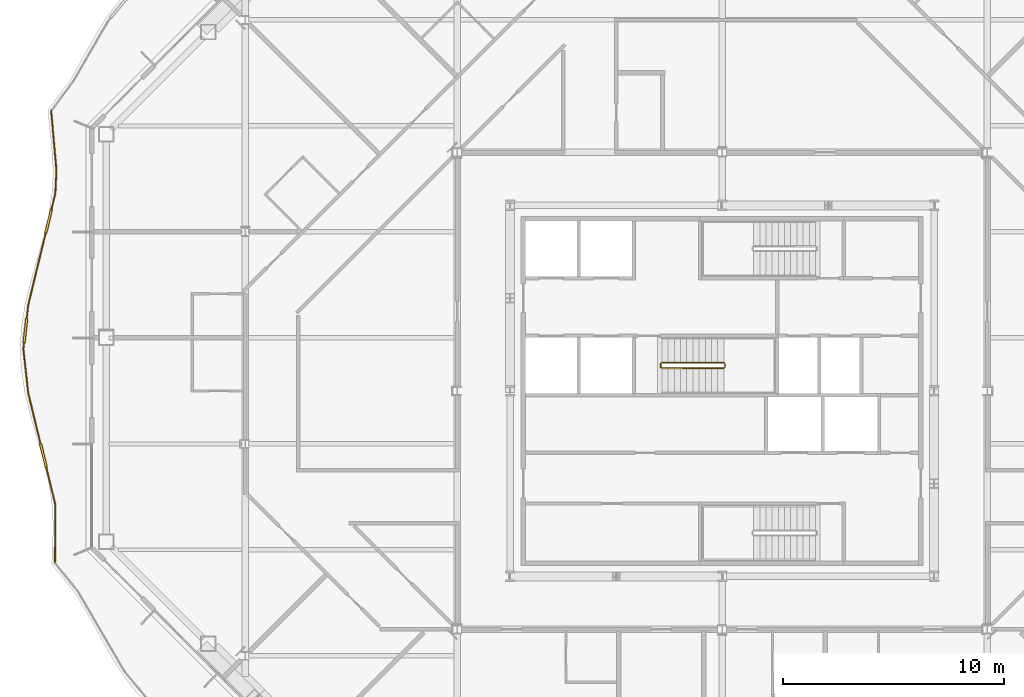
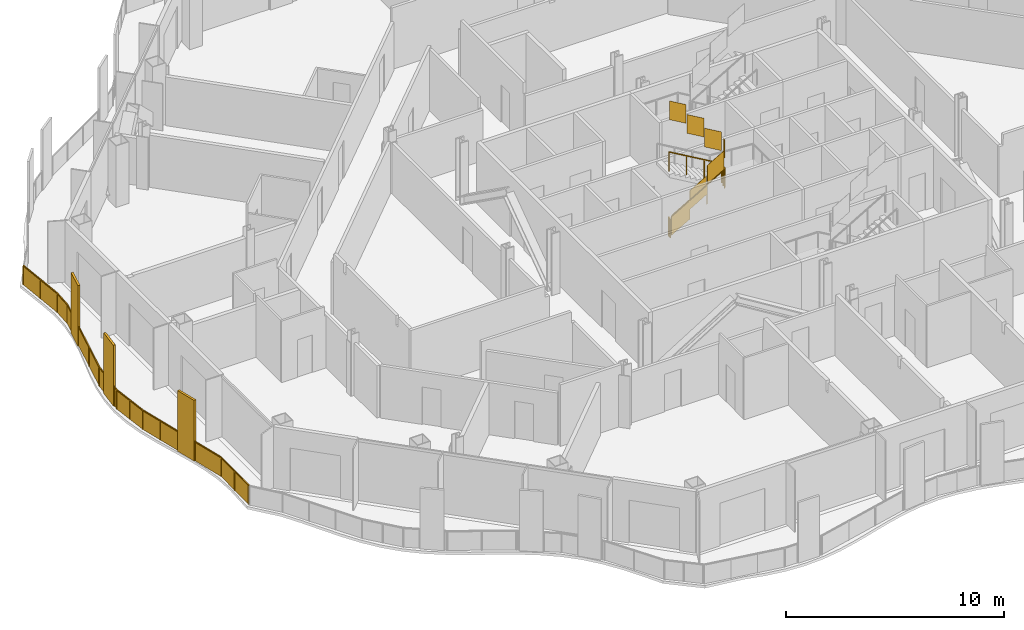
# One storey, part 16 of 21: 3 railings.
"""IFC4 building model written with IfcOpenShell, lengths in metres."""

from ifc_helpers import new_model, si_unit, direction, frame, origin, origin_2d, place, context, subcontext, project, spatial, polyline, rectangle, outline, extrude, material, type_object, element, save


model = new_model("IFC4")

# Units and contexts
model_context = context("Model", 3, precision=1e-05, world=origin(), true_north=direction((0.0, 1.0)))
body_context = subcontext(model_context, "Body", "Model", "MODEL_VIEW")
ifc_project = project(units=[si_unit("LENGTHUNIT", "METRE"), si_unit("AREAUNIT", "SQUARE_METRE"), si_unit("VOLUMEUNIT", "CUBIC_METRE"), si_unit("PLANEANGLEUNIT", "RADIAN"), si_unit("MASSUNIT", "GRAM", prefix="KILO")], contexts=[model_context])

# Site, building, storey
site_placement = place(None, origin())
site = spatial("IfcSite", under=ifc_project, at=site_placement, CompositionType="ELEMENT")
building_placement = place(site_placement, origin())
building = spatial("IfcBuilding", under=site, at=building_placement, Name="Cairn Pilgrim Tower", CompositionType="ELEMENT")
storey_placement = place(building_placement, frame((0.0, 0.0, 132.60009765625)))
storey = spatial("IfcBuildingStorey", under=building, at=storey_placement, Name="L32", CompositionType="ELEMENT", Elevation=132.60009765625)

# Railings
ifc_material_1 = material(Name="Bronze anodised aluminium rail, posts and fin screens with laminated glass infill", Category="aluminium")
railing_type_1 = type_object("IfcRailingType", Name="BALCONY GUARD WITH FIN SCREENS", PredefinedType="GUARDRAIL", material=ifc_material_1)
railing_1_placement = place(storey_placement, frame((-23.187744140625, 15.077880859375, 0.0)))
element("IfcRailing", 1, at=railing_1_placement, inside=storey, type_object=railing_type_1, Name="Balcony guard BGF-7 with fin screens", PredefinedType="GUARDRAIL", context=body_context, shape_type="SweptSolid", body=[
    extrude(rectangle(XDim=0.050048828125, YDim=0.050048828125, at=origin_2d()), frame((0.0, 0.0, 1.0751953125), z_axis=(0.087770076919, -0.996140759932, 0.0), x_axis=(0.996140759932, 0.087770076919, 0.0)), (0.0, 0.0, 1.0), 2.70654296875),
    extrude(rectangle(XDim=0.050048828125, YDim=0.050048828125, at=origin_2d()), frame((0.237548828125, -2.696044921875, 1.0751953125), z_axis=(-0.047833835176, -0.998855306945, 0.0), x_axis=(0.998855306945, -0.047833835176, 0.0)), (0.0, 0.0, 1.0), 1.0361328125),
    extrude(rectangle(XDim=1.10009765625, YDim=0.110107421875, at=origin_2d()), frame((-0.120849609375, -5.00244140625, 0.0), z_axis=(0.0, 0.0, 1.0), x_axis=(-0.235973279262, -0.971759544061, 0.0)), (0.0, 0.0, 1.0), 3.39990234375),
    extrude(rectangle(XDim=0.050048828125, YDim=0.050048828125, at=origin_2d()), frame((0.18798828125, -3.73095703125, 1.0751953125), z_axis=(-0.235973279262, -0.971759544061, 0.0), x_axis=(0.971759544061, -0.235973279262, 0.0)), (0.0, 0.0, 1.0), 0.75830078125),
    extrude(rectangle(XDim=0.050048828125, YDim=0.050048828125, at=origin_2d()), frame((-0.25048828125, -5.536865234375, 1.0751953125), z_axis=(-0.235973279262, -0.971759544061, 0.0), x_axis=(0.971759544061, -0.235973279262, 0.0)), (0.0, 0.0, 1.0), 3.345703125),
    extrude(rectangle(XDim=1.10009765625, YDim=0.110107421875, at=origin_2d()), frame((-1.168212890625, -9.9443359375, 0.0), z_axis=(0.0, 0.0, 1.0), x_axis=(-0.11019124151, -0.993910403555, 0.0)), (0.0, 0.0, 1.0), 3.39990234375),
    extrude(rectangle(XDim=0.050048828125, YDim=0.050048828125, at=origin_2d()), frame((-1.0400390625, -8.7880859375, 1.0751953125), z_axis=(-0.11019124151, -0.993910403555, 0.0), x_axis=(0.993910403555, -0.11019124151, 0.0)), (0.0, 0.0, 1.0), 0.613525390625),
    extrude(rectangle(XDim=0.050048828125, YDim=0.050048828125, at=origin_2d()), frame((-1.228759765625, -10.490966796875, 1.0751953125), z_axis=(-0.11019124151, -0.993910403555, 0.0), x_axis=(0.993910403555, -0.11019124151, 0.0)), (0.0, 0.0, 1.0), 0.2939453125),
    extrude(rectangle(XDim=0.050048828125, YDim=0.050048828125, at=origin_2d()), frame((-1.26123046875, -10.783203125, 1.0751953125), z_axis=(0.110084399686, -0.993922242907, 0.0), x_axis=(0.993922242907, 0.110084399686, 0.0)), (0.0, 0.0, 1.0), 2.007080078125),
    extrude(rectangle(XDim=1.10009765625, YDim=0.110107421875, at=origin_2d()), frame((-0.352783203125, -15.60986328125, 0.0), z_axis=(0.0, 0.0, 1.0), x_axis=(0.235967607812, -0.971760921247, 0.0)), (0.0, 0.0, 1.0), 3.39990234375),
    extrude(rectangle(XDim=0.050048828125, YDim=0.050048828125, at=origin_2d()), frame((-1.040283203125, -12.778076171875, 1.0751953125), z_axis=(0.235967607812, -0.971760921247, 0.0), x_axis=(0.971760921247, 0.235967607812, 0.0)), (0.0, 0.0, 1.0), 2.364013671875),
    extrude(rectangle(XDim=0.050048828125, YDim=0.050048828125, at=origin_2d()), frame((-0.222900390625, -16.144287109375, 1.0751953125), z_axis=(0.235967607812, -0.971760921247, 0.0), x_axis=(0.971760921247, 0.235967607812, 0.0)), (0.0, 0.0, 1.0), 1.744384765625),
    extrude(rectangle(XDim=0.050048828125, YDim=0.050048828125, at=origin_2d()), frame((0.188720703125, -17.83935546875, 1.0751953125), z_axis=(-0.007109498961, -0.999974727193, 0.0), x_axis=(0.999974727193, -0.007109498961, 0.0)), (0.0, 0.0, 1.0), 2.575439453125),
    extrude(rectangle(XDim=0.050048828125, YDim=0.050048828125, at=origin_2d()), origin(), (0.0, 0.0, 1.0), 1.050048828125),
    extrude(rectangle(XDim=0.050048828125, YDim=0.050048828125, at=origin_2d()), frame((0.11865234375, -1.34814453125, 0.0)), (0.0, 0.0, 1.0), 1.050048828125),
    extrude(rectangle(XDim=0.050048828125, YDim=0.050048828125, at=origin_2d()), frame((0.237548828125, -2.696044921875, 0.0)), (0.0, 0.0, 1.0), 1.050048828125),
    extrude(rectangle(XDim=0.050048828125, YDim=0.050048828125, at=origin_2d()), frame((0.18798828125, -3.73095703125, 0.0)), (0.0, 0.0, 1.0), 1.050048828125),
    extrude(rectangle(XDim=0.050048828125, YDim=0.050048828125, at=origin_2d()), frame((0.014892578125, -4.443603515625, 0.0)), (0.0, 0.0, 1.0), 1.050048828125),
    extrude(rectangle(XDim=0.050048828125, YDim=0.050048828125, at=origin_2d()), frame((-0.25634765625, -5.561279296875, 0.0)), (0.0, 0.0, 1.0), 1.050048828125),
    extrude(rectangle(XDim=0.050048828125, YDim=0.050048828125, at=origin_2d()), frame((-0.648193359375, -7.174560546875, 0.0)), (0.0, 0.0, 1.0), 1.050048828125),
    extrude(rectangle(XDim=0.050048828125, YDim=0.050048828125, at=origin_2d()), frame((-1.0400390625, -8.7880859375, 0.0)), (0.0, 0.0, 1.0), 1.050048828125),
    extrude(rectangle(XDim=0.050048828125, YDim=0.050048828125, at=origin_2d()), frame((-1.10498046875, -9.372802734375, 0.0)), (0.0, 0.0, 1.0), 1.050048828125),
    extrude(rectangle(XDim=0.050048828125, YDim=0.050048828125, at=origin_2d()), frame((-1.231689453125, -10.515869140625, 0.0)), (0.0, 0.0, 1.0), 1.050048828125),
    extrude(rectangle(XDim=0.050048828125, YDim=0.050048828125, at=origin_2d()), frame((-1.26123046875, -10.783203125, 0.0)), (0.0, 0.0, 1.0), 1.050048828125),
    extrude(rectangle(XDim=0.050048828125, YDim=0.050048828125, at=origin_2d()), frame((-1.15087890625, -11.78076171875, 0.0)), (0.0, 0.0, 1.0), 1.050048828125),
    extrude(rectangle(XDim=0.050048828125, YDim=0.050048828125, at=origin_2d()), frame((-1.040283203125, -12.778076171875, 0.0)), (0.0, 0.0, 1.0), 1.050048828125),
    extrude(rectangle(XDim=0.050048828125, YDim=0.050048828125, at=origin_2d()), frame((-0.764404296875, -13.91455078125, 0.0)), (0.0, 0.0, 1.0), 1.050048828125),
    extrude(rectangle(XDim=0.050048828125, YDim=0.050048828125, at=origin_2d()), frame((-0.48828125, -15.051025390625, 0.0)), (0.0, 0.0, 1.0), 1.050048828125),
    extrude(rectangle(XDim=0.050048828125, YDim=0.050048828125, at=origin_2d()), frame((-0.217041015625, -16.16845703125, 0.0)), (0.0, 0.0, 1.0), 1.050048828125),
    extrude(rectangle(XDim=0.050048828125, YDim=0.050048828125, at=origin_2d()), frame((0.188720703125, -17.83935546875, 0.0)), (0.0, 0.0, 1.0), 1.050048828125),
    extrude(rectangle(XDim=0.050048828125, YDim=0.050048828125, at=origin_2d()), frame((0.1796875, -19.126953125, 0.0)), (0.0, 0.0, 1.0), 1.050048828125),
    extrude(rectangle(XDim=0.050048828125, YDim=0.050048828125, at=origin_2d()), frame((0.17041015625, -20.414794921875, 0.0)), (0.0, 0.0, 1.0), 1.050048828125),
    extrude(outline(polyline([(0.02490234375, 0.0), (1.328125, 0.0), (1.328125, 1.050048828125), (0.02490234375, 1.050048828125), (0.02490234375, 0.0)])), frame((0.005859375, 0.00048828125, 0.0), z_axis=(-0.996140759932, -0.087770076919, 0.0), x_axis=(0.087770076919, -0.996140759932, 0.0)), (0.0, 0.0, 1.0), 0.011962890625),
    extrude(outline(polyline([(0.02490234375, 0.0), (1.328125, 0.0), (1.328125, 1.050048828125), (0.02490234375, 1.050048828125), (0.02490234375, 0.0)])), frame((0.124755859375, -1.347412109375, 0.0), z_axis=(-0.996140759932, -0.087770076919, 0.0), x_axis=(0.087770076919, -0.996140759932, 0.0)), (0.0, 0.0, 1.0), 0.011962890625),
    extrude(outline(polyline([(0.02490234375, 0.0), (1.010986328125, 0.0), (1.010986328125, 1.050048828125), (0.02490234375, 1.050048828125), (0.02490234375, 0.0)])), frame((0.243408203125, -2.6962890625, 0.0), z_axis=(-0.998855306945, 0.047833835176, 0.0), x_axis=(-0.047833835176, -0.998855306945, 0.0)), (0.0, 0.0, 1.0), 0.011962890625),
    extrude(outline(polyline([(0.02490234375, 0.0), (0.708251953125, 0.0), (0.708251953125, 1.050048828125), (0.02490234375, 1.050048828125), (0.02490234375, 0.0)])), frame((0.19384765625, -3.732421875, 0.0), z_axis=(-0.971759544061, 0.235973279262, 0.0), x_axis=(-0.235973279262, -0.971759544061, 0.0)), (0.0, 0.0, 1.0), 0.011962890625),
    extrude(outline(polyline([(0.02490234375, 0.0), (1.63525390625, 0.0), (1.63525390625, 1.050048828125), (0.02490234375, 1.050048828125), (0.02490234375, 0.0)])), frame((-0.250732421875, -5.5625, 0.0), z_axis=(-0.971759544061, 0.235973279262, 0.0), x_axis=(-0.235973279262, -0.971759544061, 0.0)), (0.0, 0.0, 1.0), 0.011962890625),
    extrude(outline(polyline([(0.02490234375, 0.0), (1.63525390625, 0.0), (1.63525390625, 1.050048828125), (0.02490234375, 1.050048828125), (0.02490234375, 0.0)])), frame((-0.642333984375, -7.176025390625, 0.0), z_axis=(-0.971759544061, 0.235973279262, 0.0), x_axis=(-0.235973279262, -0.971759544061, 0.0)), (0.0, 0.0, 1.0), 0.011962890625),
    extrude(outline(polyline([(0.02490234375, 0.0), (0.5634765625, 0.0), (0.5634765625, 1.050048828125), (0.02490234375, 1.050048828125), (0.02490234375, 0.0)])), frame((-1.0341796875, -8.788818359375, 0.0), z_axis=(-0.993910403555, 0.11019124151, 0.0), x_axis=(-0.11019124151, -0.993910403555, 0.0)), (0.0, 0.0, 1.0), 0.011962890625),
    extrude(outline(polyline([(0.02490234375, 0.0), (0.243896484375, 0.0), (0.243896484375, 1.050048828125), (0.02490234375, 1.050048828125), (0.02490234375, 0.0)])), frame((-1.2255859375, -10.5166015625, 0.0), z_axis=(-0.993910403555, 0.11019124151, 0.0), x_axis=(-0.11019124151, -0.993910403555, 0.0)), (0.0, 0.0, 1.0), 0.011962890625),
    extrude(outline(polyline([(0.02490234375, 0.0), (0.978515625, 0.0), (0.978515625, 1.050048828125), (0.02490234375, 1.050048828125), (0.02490234375, 0.0)])), frame((-1.25537109375, -10.782470703125, 0.0), z_axis=(-0.993922242907, -0.110084399686, 0.0), x_axis=(0.110084399686, -0.993922242907, 0.0)), (0.0, 0.0, 1.0), 0.011962890625),
    extrude(outline(polyline([(0.02490234375, 0.0), (0.978515625, 0.0), (0.978515625, 1.050048828125), (0.02490234375, 1.050048828125), (0.02490234375, 0.0)])), frame((-1.144775390625, -11.780029296875, 0.0), z_axis=(-0.993922242907, -0.110084399686, 0.0), x_axis=(0.110084399686, -0.993922242907, 0.0)), (0.0, 0.0, 1.0), 0.011962890625),
    extrude(outline(polyline([(0.02490234375, 0.0), (1.14453125, 0.0), (1.14453125, 1.050048828125), (0.02490234375, 1.050048828125), (0.02490234375, 0.0)])), frame((-1.034423828125, -12.776611328125, 0.0), z_axis=(-0.971760921247, -0.235967607812, 0.0), x_axis=(0.235967607812, -0.971760921247, 0.0)), (0.0, 0.0, 1.0), 0.011962890625),
    extrude(outline(polyline([(0.02490234375, 0.0), (1.14453125, 0.0), (1.14453125, 1.050048828125), (0.02490234375, 1.050048828125), (0.02490234375, 0.0)])), frame((-0.758544921875, -13.9130859375, 0.0), z_axis=(-0.971760921247, -0.235967607812, 0.0), x_axis=(0.235967607812, -0.971760921247, 0.0)), (0.0, 0.0, 1.0), 0.011962890625),
    extrude(outline(polyline([(0.02490234375, 0.0), (1.6943359375, 0.0), (1.6943359375, 1.050048828125), (0.02490234375, 1.050048828125), (0.02490234375, 0.0)])), frame((-0.211181640625, -16.167236328125, 0.0), z_axis=(-0.971760921247, -0.235967607812, 0.0), x_axis=(0.235967607812, -0.971760921247, 0.0)), (0.0, 0.0, 1.0), 0.011962890625),
    extrude(outline(polyline([(0.02490234375, 0.0), (1.2626953125, 0.0), (1.2626953125, 1.050048828125), (0.02490234375, 1.050048828125), (0.02490234375, 0.0)])), frame((0.194580078125, -17.83935546875, 0.0), z_axis=(-0.999974727193, 0.007109498961, 0.0), x_axis=(-0.007109498961, -0.999974727193, 0.0)), (0.0, 0.0, 1.0), 0.011962890625),
    extrude(outline(polyline([(0.02490234375, 0.0), (1.2626953125, 0.0), (1.2626953125, 1.050048828125), (0.02490234375, 1.050048828125), (0.02490234375, 0.0)])), frame((0.185546875, -19.127197265625, 0.0), z_axis=(-0.999974727193, 0.007109498961, 0.0), x_axis=(-0.007109498961, -0.999974727193, 0.0)), (0.0, 0.0, 1.0), 0.011962890625),
])
ifc_material_2 = material(Name="Painted steel", Category="steel")
railing_type_2 = type_object("IfcRailingType", Name="STAIR GUARD 1100", PredefinedType="GUARDRAIL", material=ifc_material_2)
railing_2_placement = place(storey_placement, frame((4.47509765625, 3.425048828125, 0.16357421875)))
element("IfcRailing", 2, at=railing_2_placement, inside=storey, type_object=railing_type_2, Name="L32 ST-B stair guard 1", PredefinedType="GUARDRAIL", context=body_context, shape_type="SweptSolid", body=[
    extrude(rectangle(XDim=0.048095703125, YDim=0.048095703125, at=origin_2d()), frame((0.0, 0.0, 1.076171875), z_axis=(0.863374499697, 0.0, 0.504563646405), x_axis=(0.0, 1.0, 0.0)), (0.0, 0.0, 1.0), 3.242919921875),
    extrude(rectangle(XDim=0.048095703125, YDim=0.048095703125, at=origin_2d()), frame((2.7998046875, 0.0, 2.71240234375), z_axis=(0.707106781187, 0.707106781187, 0.0), x_axis=(-0.707106781187, 0.707106781187, 0.0)), (0.0, 0.0, 1.0), 0.07080078125),
    extrude(rectangle(XDim=0.048095703125, YDim=0.048095703125, at=origin_2d()), frame((2.849853515625, 0.050048828125, 2.71240234375), z_axis=(0.0, 1.0, 0.0), x_axis=(-1.0, 0.0, 0.0)), (0.0, 0.0, 1.0), 0.14990234375),
    extrude(rectangle(XDim=0.048095703125, YDim=0.048095703125, at=origin_2d()), frame((2.849853515625, 0.199951171875, 2.71240234375), z_axis=(-0.280456126637, 0.280456126637, 0.917980785237), x_axis=(-0.707106781187, -0.707106781187, 0.0)), (0.0, 0.0, 1.0), 0.178466796875),
    extrude(rectangle(XDim=0.048095703125, YDim=0.048095703125, at=origin_2d()), frame((2.7998046875, 0.25, 2.8759765625), z_axis=(-0.863374499697, 0.0, 0.504563646405), x_axis=(0.0, -1.0, 0.0)), (0.0, 0.0, 1.0), 3.242919921875),
    extrude(rectangle(XDim=0.0419921875, YDim=0.0419921875, at=origin_2d()), origin(), (0.0, 0.0, 1.0), 1.052001953125),
    extrude(rectangle(XDim=0.0419921875, YDim=0.0419921875, at=origin_2d()), frame((0.933349609375, 0.0, 0.54541015625)), (0.0, 0.0, 1.0), 1.052001953125),
    extrude(rectangle(XDim=0.0419921875, YDim=0.0419921875, at=origin_2d()), frame((1.866455078125, 0.0, 1.0908203125)), (0.0, 0.0, 1.0), 1.052001953125),
    extrude(rectangle(XDim=0.0419921875, YDim=0.0419921875, at=origin_2d()), frame((2.7998046875, 0.0, 1.63623046875)), (0.0, 0.0, 1.0), 1.052001953125),
    extrude(rectangle(XDim=0.0419921875, YDim=0.0419921875, at=origin_2d()), frame((2.849853515625, 0.050048828125, 1.63623046875)), (0.0, 0.0, 1.0), 1.052001953125),
    extrude(rectangle(XDim=0.0419921875, YDim=0.0419921875, at=origin_2d()), frame((2.849853515625, 0.199951171875, 1.63623046875)), (0.0, 0.0, 1.0), 1.052001953125),
    extrude(rectangle(XDim=0.0419921875, YDim=0.0419921875, at=origin_2d()), frame((2.7998046875, 0.25, 1.800048828125)), (0.0, 0.0, 1.0), 1.052001953125),
    extrude(rectangle(XDim=0.0419921875, YDim=0.0419921875, at=origin_2d()), frame((1.866455078125, 0.25, 2.345458984375)), (0.0, 0.0, 1.0), 1.052001953125),
    extrude(rectangle(XDim=0.0419921875, YDim=0.0419921875, at=origin_2d()), frame((0.933349609375, 0.25, 2.890869140625)), (0.0, 0.0, 1.0), 1.052001953125),
    extrude(rectangle(XDim=0.0419921875, YDim=0.0419921875, at=origin_2d()), frame((0.0, 0.25, 3.436279296875)), (0.0, 0.0, 1.0), 1.052001953125),
    extrude(outline(polyline([(0.02099609375, 0.01220703125), (0.912353515625, 0.533203125), (0.912353515625, 1.585205078125), (0.02099609375, 1.064208984375), (0.02099609375, 0.01220703125)])), frame((0.0, 0.005859375, 0.0), z_axis=(0.0, -1.0, 0.0), x_axis=(1.0, 0.0, 0.0)), (0.0, 0.0, 1.0), 0.011962890625),
    extrude(outline(polyline([(0.02099609375, 0.5576171875), (0.912353515625, 1.07861328125), (0.912353515625, 2.130615234375), (0.02099609375, 1.609619140625), (0.02099609375, 0.5576171875)])), frame((0.933349609375, 0.005859375, 0.54541015625), z_axis=(0.0, -1.0, 0.0), x_axis=(1.0, 0.0, 0.0)), (0.0, 0.0, 1.0), 0.011962890625),
    extrude(outline(polyline([(0.02099609375, 1.10302734375), (0.912353515625, 1.6240234375), (0.912353515625, 2.676025390625), (0.02099609375, 2.155029296875), (0.02099609375, 1.10302734375)])), frame((1.866455078125, 0.005859375, 1.0908203125), z_axis=(0.0, -1.0, 0.0), x_axis=(1.0, 0.0, 0.0)), (0.0, 0.0, 1.0), 0.011962890625),
    extrude(outline(polyline([(0.02099609375, 1.63623046875), (0.12890625, 1.63623046875), (0.12890625, 2.688232421875), (0.02099609375, 2.688232421875), (0.02099609375, 1.63623046875)])), frame((2.84375, 0.050048828125, 1.63623046875), z_axis=(1.0, 0.0, 0.0), x_axis=(0.0, 1.0, 0.0)), (0.0, 0.0, 1.0), 0.011962890625),
    extrude(outline(polyline([(0.02099609375, 1.812255859375), (0.912353515625, 2.333251953125), (0.912353515625, 3.38525390625), (0.02099609375, 2.8642578125), (0.02099609375, 1.812255859375)])), frame((2.7998046875, 0.244140625, 1.800048828125), z_axis=(0.0, 1.0, 0.0), x_axis=(-1.0, 0.0, 0.0)), (0.0, 0.0, 1.0), 0.011962890625),
    extrude(outline(polyline([(0.02099609375, 2.357666015625), (0.912353515625, 2.878662109375), (0.912353515625, 3.9306640625), (0.02099609375, 3.40966796875), (0.02099609375, 2.357666015625)])), frame((1.866455078125, 0.244140625, 2.345458984375), z_axis=(0.0, 1.0, 0.0), x_axis=(-1.0, 0.0, 0.0)), (0.0, 0.0, 1.0), 0.011962890625),
    extrude(outline(polyline([(0.02099609375, 2.903076171875), (0.912353515625, 3.424072265625), (0.912353515625, 4.47607421875), (0.02099609375, 3.955078125), (0.02099609375, 2.903076171875)])), frame((0.933349609375, 0.244140625, 2.890869140625), z_axis=(0.0, 1.0, 0.0), x_axis=(-1.0, 0.0, 0.0)), (0.0, 0.0, 1.0), 0.011962890625),
])
railing_3_placement = place(storey_placement, frame((4.425048828125, 3.47509765625, 0.0)))
element("IfcRailing", 3, at=railing_3_placement, inside=storey, type_object=railing_type_2, Name="L32 ST-B stair guard 2", PredefinedType="GUARDRAIL", context=body_context, shape_type="SweptSolid", body=[
    extrude(rectangle(XDim=0.048095703125, YDim=0.048095703125, at=origin_2d()), frame((0.0, 0.0, 1.076171875), z_axis=(0.0, 1.0, 0.0), x_axis=(-1.0, 0.0, 0.0)), (0.0, 0.0, 1.0), 0.14990234375),
    extrude(rectangle(XDim=0.0419921875, YDim=0.0419921875, at=origin_2d()), origin(), (0.0, 0.0, 1.0), 1.052001953125),
    extrude(rectangle(XDim=0.0419921875, YDim=0.0419921875, at=origin_2d()), frame((0.0, 0.14990234375, 0.0)), (0.0, 0.0, 1.0), 1.052001953125),
    extrude(outline(polyline([(0.02099609375, 0.0), (0.12890625, 0.0), (0.12890625, 1.052001953125), (0.02099609375, 1.052001953125), (0.02099609375, 0.0)])), frame((-0.005859375, 0.0, 0.0), z_axis=(1.0, 0.0, 0.0), x_axis=(0.0, 1.0, 0.0)), (0.0, 0.0, 1.0), 0.011962890625),
])

save(model, "model.ifc")
